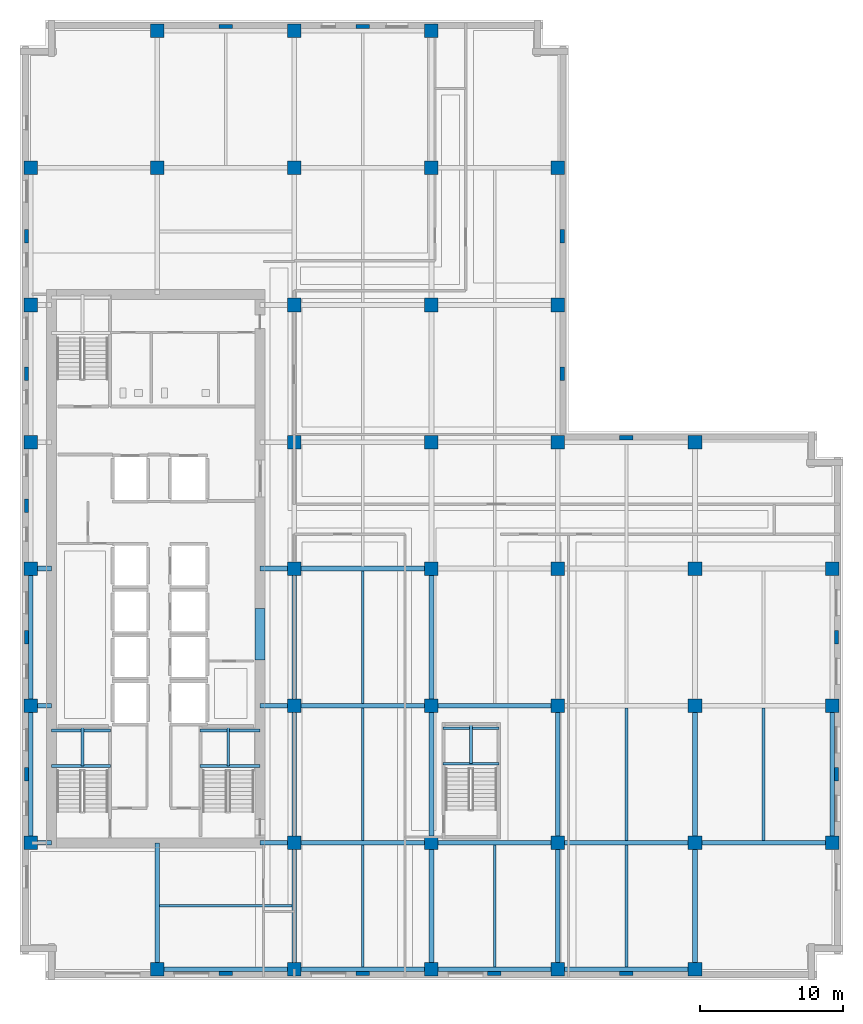
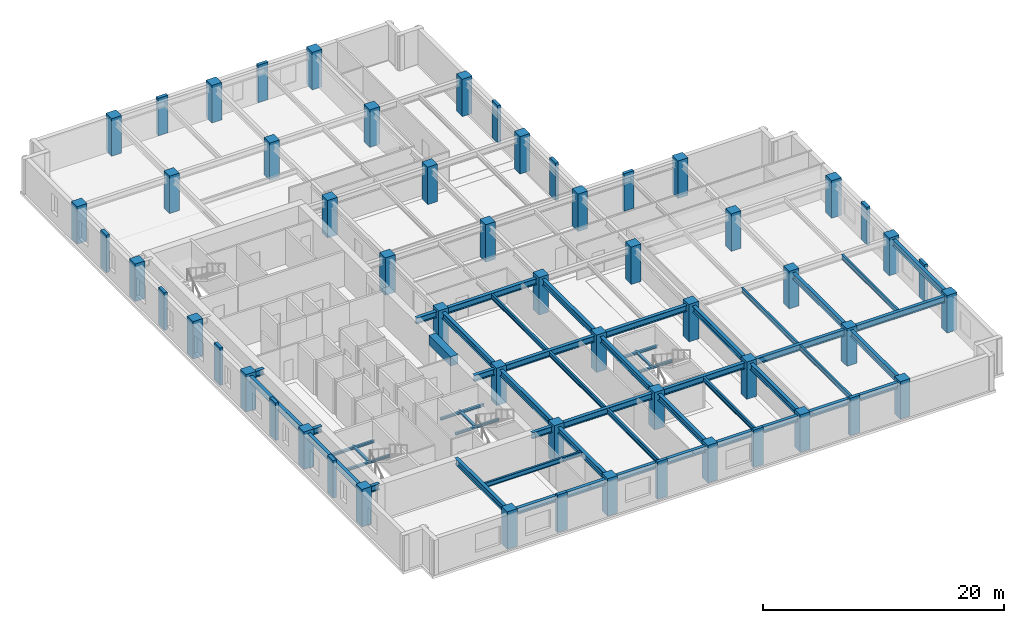
# One storey, part 1 of 14: 56 columns, 49 beams.
"""IFC4 building model written with IfcOpenShell, lengths in metres."""

import ifcopenshell
import ifcopenshell.guid

model = None  # the IFC model being written
_history = None  # IfcOwnerHistory: only IFC2X3 demands one
_inside = {}  # id of a spatial element -> (the spatial element, [elements in it])
_under = {}  # id of a project, library or spatial element -> (it, [spatial elements below it])
_declared = {}  # id of a project -> (the project, [libraries it declares])
_typed = {}  # id of a type object -> (the type object, [elements of that type])
_made_of = {}  # id of a material, layer set ... -> (it, [elements and type objects made of it])


def new_model(schema):
    """Start an empty IFC model of exactly this schema.

    Asked for "IFC4X3", IfcOpenShell would pick the latest addendum, in which some entities
    have other attributes; the version numbers below select the first issue.
    IFC2X3 requires an IfcOwnerHistory on every rooted entity: one is made here for all.
    """
    global model, _history
    if schema == "IFC4X3":
        model = ifcopenshell.file(schema_version=(4, 3, 0, 0))
    else:
        model = ifcopenshell.file(schema=schema)
    _inside.clear()
    _under.clear()
    _declared.clear()
    _typed.clear()
    _made_of.clear()
    _history = None
    if model.schema == "IFC2X3":
        org = make("IfcOrganization", Name="unknown")
        user = make(
            "IfcPersonAndOrganization",
            ThePerson=make("IfcPerson", FamilyName="unknown"),
            TheOrganization=org,
        )
        app = make(
            "IfcApplication",
            ApplicationDeveloper=org,
            Version="unknown",
            ApplicationFullName="unknown",
            ApplicationIdentifier="unknown",
        )
        _history = make(
            "IfcOwnerHistory",
            OwningUser=user,
            OwningApplication=app,
            ChangeAction="ADDED",
            CreationDate=0,
        )
    return model


def make(cls, **values):
    """One entity of the class cls with the attributes given. An attribute that is None is left unset."""
    return model.create_entity(
        cls, **{name: value for name, value in values.items() if value is not None}
    )


def rooted(cls, **values):
    """An entity with a GlobalId (a new one), such as an element, a storey or a relation."""
    return make(cls, GlobalId=ifcopenshell.guid.new(), OwnerHistory=_history, **values)


def si_unit(unit_type, name, prefix=None):
    """IfcSIUnit, for example si_unit("LENGTHUNIT", "METRE", prefix="MILLI")."""
    return make("IfcSIUnit", UnitType=unit_type, Prefix=prefix, Name=name)


def assignment(units):
    """IfcUnitAssignment: the units of a project."""
    return None if units is None else make("IfcUnitAssignment", Units=units)


def point(xyz):
    """IfcCartesianPoint."""
    return None if xyz is None else make("IfcCartesianPoint", Coordinates=xyz)


def direction(xyz):
    """IfcDirection."""
    return None if xyz is None else make("IfcDirection", DirectionRatios=xyz)


def frame(location, z_axis=None, x_axis=None):
    """IfcAxis2Placement3D, a coordinate frame: its origin and axes. An axis left out is left unset."""
    return make(
        "IfcAxis2Placement3D",
        Location=point(location),
        Axis=direction(z_axis),
        RefDirection=direction(x_axis),
    )


def frame_2d(location, x_axis=None):
    """IfcAxis2Placement2D, a coordinate frame in the plane: its origin and x axis."""
    return make(
        "IfcAxis2Placement2D", Location=point(location), RefDirection=direction(x_axis)
    )


def origin():
    """The frame at (0, 0, 0) with its axes left unset."""
    return frame((0.0, 0.0, 0.0))


def origin_2d():
    """The frame at (0, 0) in the plane with its x axis left unset."""
    return frame_2d((0.0, 0.0))


def place(relative_to, where):
    """IfcLocalPlacement: puts the frame where relative to a parent placement (None: the world)."""
    return make(
        "IfcLocalPlacement", PlacementRelTo=relative_to, RelativePlacement=where
    )


def context(
    kind, dimensions, precision=None, world=None, true_north=None, identifier=None
):
    """IfcGeometricRepresentationContext, for example the 3D "Model" context."""
    return make(
        "IfcGeometricRepresentationContext",
        ContextIdentifier=identifier,
        ContextType=kind,
        CoordinateSpaceDimension=dimensions,
        Precision=precision,
        WorldCoordinateSystem=world,
        TrueNorth=true_north,
    )


def subcontext(parent, identifier, kind, view, scale=None):
    """IfcGeometricRepresentationSubContext, for example "Body" below "Model"."""
    return make(
        "IfcGeometricRepresentationSubContext",
        ContextIdentifier=identifier,
        ContextType=kind,
        ParentContext=parent,
        TargetScale=scale,
        TargetView=view,
    )


def project(units=None, contexts=None):
    """IfcProject with its units and contexts."""
    return rooted(
        "IfcProject",
        Name="project",
        RepresentationContexts=contexts,
        UnitsInContext=assignment(units),
    )


def spatial(cls, under=None, at=None, **own):
    """A site, building, storey or space (cls), placed at a placement, below another one or the project."""
    s = rooted(cls, ObjectPlacement=at, **own)
    if under is not None:
        _under.setdefault(under.id(), (under, []))[1].append(s)
    return s


def profile(cls, at=None, kind="AREA", **sizes):
    """A parametric profile (cls). Its sizes go by their IFC names, for example OverallWidth=200.0."""
    return make(cls, ProfileType=kind, Position=at, **sizes)


def rectangle(**sizes):
    """IfcRectangleProfileDef."""
    return profile("IfcRectangleProfileDef", **sizes)


def i_section(**sizes):
    """IfcIShapeProfileDef."""
    return profile("IfcIShapeProfileDef", **sizes)


def extrude(swept, where, along, depth):
    """IfcExtrudedAreaSolid: the profile swept, set in the frame where, extruded along a direction by depth."""
    return make(
        "IfcExtrudedAreaSolid",
        SweptArea=swept,
        Position=where,
        ExtrudedDirection=direction(along),
        Depth=depth,
    )


def shape(context_of_items, identifier, shape_type, items):
    """IfcShapeRepresentation: the items that make up one representation, for example the "Body"."""
    return make(
        "IfcShapeRepresentation",
        ContextOfItems=context_of_items,
        RepresentationIdentifier=identifier,
        RepresentationType=shape_type,
        Items=items,
    )


def material(Name=None, Category=None):
    """IfcMaterial."""
    return make("IfcMaterial", Name=Name, Category=Category)


def material_profile(
    of_material, cross_section, Name=None, Category=None, Priority=None
):
    """IfcMaterialProfile: a cross section and its material."""
    return make(
        "IfcMaterialProfile",
        Name=Name,
        Material=of_material,
        Profile=cross_section,
        Priority=Priority,
        Category=Category,
    )


def profile_set(profiles, Name=None, composite=None):
    """IfcMaterialProfileSet."""
    return make(
        "IfcMaterialProfileSet",
        Name=Name,
        MaterialProfiles=profiles,
        CompositeProfile=composite,
    )


def made_of(thing, what):
    """Note that an element or type object is made of a material, layer set ...; save() writes the relation."""
    if what is not None:
        _made_of.setdefault(what.id(), (what, []))[1].append(thing)
    return thing


def type_object(cls, material=None, **own):
    """A type object (cls), such as IfcWallType, which elements share."""
    return made_of(rooted(cls, **own), material)


def element(
    cls,
    number,
    at=None,
    inside=None,
    cuts=None,
    type_object=None,
    material=None,
    context=None,
    identifier="Body",
    shape_type=None,
    held_by="IfcProductDefinitionShape",
    body=None,
    shapes=None,
    **own,
):
    """One element of the class cls, such as IfcWall. Its Tag is "e" and its number.

    at: its placement. inside: the storey or other place that contains it. cuts: it is an
    opening in that element (IfcRelVoidsElement). A single representation is given by context,
    identifier, shape_type and body (its items); several are given by shapes. held_by: the class
    of the entity that holds the representations. save() writes the other relations.
    """
    e = rooted(cls, Tag="e%d" % number, ObjectPlacement=at, **own)
    if body is not None:
        shapes = [shape(context, identifier, shape_type, body)]
    if shapes is not None:
        e.Representation = make(held_by, Representations=shapes)
    if inside is not None:
        _inside.setdefault(inside.id(), (inside, []))[1].append(e)
    if cuts is not None:
        rooted(
            "IfcRelVoidsElement", RelatingBuildingElement=cuts, RelatedOpeningElement=e
        )
    if type_object is not None:
        _typed.setdefault(type_object.id(), (type_object, []))[1].append(e)
    return made_of(e, material)


def aggregate(whole, parts):
    """IfcRelAggregates: a whole, such as a stair, and the parts it consists of."""
    return rooted("IfcRelAggregates", RelatingObject=whole, RelatedObjects=parts)


def save(model, path):
    """Write the relations noted so far, then the file.

    IfcRelAggregates (storeys below a building ...), IfcRelContainedInSpatialStructure (elements
    in a storey), IfcRelDefinesByType, IfcRelAssociatesMaterial and IfcRelDeclares: one each for
    every whole, place, type object, material and project.
    """
    for whole, parts in _under.values():
        aggregate(whole, parts)
    for where, things in _inside.values():
        rooted(
            "IfcRelContainedInSpatialStructure",
            RelatedElements=things,
            RelatingStructure=where,
        )
    for kind, things in _typed.values():
        rooted("IfcRelDefinesByType", RelatedObjects=things, RelatingType=kind)
    for what, things in _made_of.values():
        rooted("IfcRelAssociatesMaterial", RelatedObjects=things, RelatingMaterial=what)
    for by, libraries in _declared.values():
        rooted("IfcRelDeclares", RelatingContext=by, RelatedDefinitions=libraries)
    model.write(path)


model = new_model("IFC4")

# Units and contexts
model_context = context("Model", 3, precision=1e-05, world=origin(), true_north=direction((0.0, 1.0)))
body_context = subcontext(model_context, "Body", "Model", "MODEL_VIEW")
ifc_project = project(units=[si_unit("LENGTHUNIT", "METRE"), si_unit("AREAUNIT", "SQUARE_METRE"), si_unit("VOLUMEUNIT", "CUBIC_METRE"), si_unit("PLANEANGLEUNIT", "RADIAN"), si_unit("MASSUNIT", "GRAM", prefix="KILO")], contexts=[model_context])

# Site, building, storey
site_placement = place(None, origin())
site = spatial("IfcSite", under=ifc_project, at=site_placement, CompositionType="ELEMENT")
building_placement = place(site_placement, origin())
building = spatial("IfcBuilding", under=site, at=building_placement, Name="Norrvale University Quadrangle", CompositionType="ELEMENT")
storey_placement = place(building_placement, frame((0.0, 0.0, 156.0)))
storey = spatial("IfcBuildingStorey", under=building, at=storey_placement, Name="L39", CompositionType="ELEMENT", Elevation=156.0)

# Columns
ifc_material_1 = material(Name="Red Manganese Brick Concrete C60/75", Category="concrete")
ifc_material_profile_1 = material_profile(ifc_material_1, rectangle(XDim=0.949951171875, YDim=0.300048828125, at=origin_2d()), Name="Red Manganese Brick Concrete C60/75")
ifc_profile_set_1 = profile_set([ifc_material_profile_1], Name="Red Manganese Brick Concrete C60/75")
column_type_1 = type_object("IfcColumnType", Name="Column Brick Pier 950x300", PredefinedType="PILASTER", material=ifc_profile_set_1)
for number, where, z_axis, x_axis, name in (
    (1, (0.449951171875, 14.39990234375, 0.0), (0.0, 0.0, 1.0), (0.0, 1.0, 0.0), "Exterior Brick Facade Pilaster L39-01"),
    (2, (0.449951171875, 24.0, 0.0), (0.0, 0.0, 1.0), (0.0, 1.0, 0.0), "Exterior Brick Facade Pilaster L39-02"),
    (3, (0.449951171875, 33.199951171875, 0.0), (0.0, 0.0, 1.0), (0.0, 1.0, 0.0), "Exterior Brick Facade Pilaster L39-03"),
    (4, (0.449951171875, 42.449951171875, 0.0), (0.0, 0.0, 1.0), (0.0, 1.0, 0.0), "Exterior Brick Facade Pilaster L39-04"),
    (5, (0.449951171875, 52.050048828125, 0.0), (0.0, 0.0, 1.0), (0.0, 1.0, 0.0), "Exterior Brick Facade Pilaster L39-05"),
    (6, (14.39990234375, 0.449951171875, 0.0), (0.0, 0.0, 1.0), (1.0, 0.0, 0.0), "Exterior Brick Facade Pilaster L39-06"),
    (7, (24.0, 0.449951171875, 0.0), (0.0, 0.0, 1.0), (1.0, 0.0, 0.0), "Exterior Brick Facade Pilaster L39-07"),
    (8, (33.199951171875, 0.449951171875, 0.0), (0.0, 0.0, 1.0), (1.0, 0.0, 0.0), "Exterior Brick Facade Pilaster L39-08"),
    (9, (42.449951171875, 0.449951171875, 0.0), (0.0, 0.0, 1.0), (1.0, 0.0, 0.0), "Exterior Brick Facade Pilaster L39-09"),
    (10, (57.14990234375, 14.39990234375, 0.0), (0.0, 0.0, 1.0), (0.0, 1.0, 0.0), "Exterior Brick Facade Pilaster L39-10"),
    (11, (57.14990234375, 24.0, 0.0), (0.0, 0.0, 1.0), (0.0, 1.0, 0.0), "Exterior Brick Facade Pilaster L39-11"),
    (12, (14.39990234375, 66.75, 0.0), (0.0, 0.0, 1.0), (1.0, 0.0, 0.0), "Exterior Brick Facade Pilaster L39-12"),
    (13, (24.0, 66.75, 0.0), (0.0, 0.0, 1.0), (1.0, 0.0, 0.0), "Exterior Brick Facade Pilaster L39-13"),
    (14, (37.949951171875, 42.449951171875, 0.0), (0.0, 0.0, 1.0), (0.0, 1.0, 0.0), "Exterior Brick Facade Pilaster L39-14"),
    (15, (37.949951171875, 52.050048828125, 0.0), (0.0, 0.0, 1.0), (0.0, 1.0, 0.0), "Exterior Brick Facade Pilaster L39-15"),
    (16, (42.449951171875, 37.949951171875, 0.0), (0.0, 0.0, 1.0), (1.0, 0.0, 0.0), "Exterior Brick Facade Pilaster L39-16"),
):
    element("IfcColumn", number, at=place(storey_placement, frame(where, z_axis=z_axis, x_axis=x_axis)), inside=storey, type_object=column_type_1, Name=name, PredefinedType="PILASTER", context=body_context, shape_type="SweptSolid", body=[
        extrude(rectangle(XDim=0.949951171875, YDim=0.300048828125, at=origin_2d()), origin(), (0.0, 0.0, 1.0), 3.800048828125),
    ])
ifc_material_2 = material(Name="Concrete C60/75", Category="concrete")
ifc_material_profile_2 = material_profile(ifc_material_2, rectangle(XDim=0.949951171875, YDim=0.949951171875, at=origin_2d()), Name="Concrete C60/75")
ifc_profile_set_2 = profile_set([ifc_material_profile_2], Name="Concrete C60/75")
column_type_2 = type_object("IfcColumnType", Name="Column Tower Z2 950x950", PredefinedType="COLUMN", material=ifc_profile_set_2)
for number, where, z_axis, x_axis, name in (
    (17, (0.75, 9.60009765625, 0.0), (0.0, 0.0, 1.0), (1.0, 0.0, 0.0), "Tower Column L39-T01"),
    (18, (0.75, 19.199951171875, 0.0), (0.0, 0.0, 1.0), (1.0, 0.0, 0.0), "Tower Column L39-T02"),
    (19, (0.75, 28.800048828125, 0.0), (0.0, 0.0, 1.0), (1.0, 0.0, 0.0), "Tower Column L39-T03"),
    (20, (0.75, 37.64990234375, 0.0), (0.0, 0.0, 1.0), (1.0, 0.0, 0.0), "Tower Column L39-T04"),
    (21, (0.75, 47.25, 0.0), (0.0, 0.0, 1.0), (1.0, 0.0, 0.0), "Tower Column L39-T05"),
    (22, (0.75, 56.85009765625, 0.0), (0.0, 0.0, 1.0), (1.0, 0.0, 0.0), "Tower Column L39-T06"),
    (23, (9.60009765625, 0.75, 0.0), (0.0, 0.0, 1.0), (1.0, 0.0, 0.0), "Tower Column L39-T07"),
    (24, (9.60009765625, 56.85009765625, 0.0), (0.0, 0.0, 1.0), (1.0, 0.0, 0.0), "Tower Column L39-T08"),
    (25, (9.60009765625, 66.449951171875, 0.0), (0.0, 0.0, 1.0), (1.0, 0.0, 0.0), "Tower Column L39-T09"),
    (26, (19.199951171875, 0.75, 0.0), (0.0, 0.0, 1.0), (1.0, 0.0, 0.0), "Tower Column L39-T10"),
    (27, (19.199951171875, 9.60009765625, 0.0), (0.0, 0.0, 1.0), (1.0, 0.0, 0.0), "Tower Column L39-T11"),
    (28, (19.199951171875, 19.199951171875, 0.0), (0.0, 0.0, 1.0), (1.0, 0.0, 0.0), "Tower Column L39-T12"),
    (29, (19.199951171875, 28.800048828125, 0.0), (0.0, 0.0, 1.0), (1.0, 0.0, 0.0), "Tower Column L39-T13"),
    (30, (19.199951171875, 37.64990234375, 0.0), (0.0, 0.0, 1.0), (1.0, 0.0, 0.0), "Tower Column L39-T14"),
    (31, (19.199951171875, 47.25, 0.0), (0.0, 0.0, 1.0), (1.0, 0.0, 0.0), "Tower Column L39-T15"),
    (32, (19.199951171875, 56.85009765625, 0.0), (0.0, 0.0, 1.0), (1.0, 0.0, 0.0), "Tower Column L39-T16"),
    (33, (19.199951171875, 66.449951171875, 0.0), (0.0, 0.0, 1.0), (1.0, 0.0, 0.0), "Tower Column L39-T17"),
    (34, (28.800048828125, 0.75, 0.0), (0.0, 0.0, 1.0), (1.0, 0.0, 0.0), "Tower Column L39-T18"),
    (35, (28.800048828125, 9.60009765625, 0.0), (0.0, 0.0, 1.0), (1.0, 0.0, 0.0), "Tower Column L39-T19"),
    (36, (28.800048828125, 19.199951171875, 0.0), (0.0, 0.0, 1.0), (1.0, 0.0, 0.0), "Tower Column L39-T20"),
    (37, (28.800048828125, 28.800048828125, 0.0), (0.0, 0.0, 1.0), (1.0, 0.0, 0.0), "Tower Column L39-T21"),
    (38, (28.800048828125, 37.64990234375, 0.0), (0.0, 0.0, 1.0), (1.0, 0.0, 0.0), "Tower Column L39-T22"),
    (39, (28.800048828125, 47.25, 0.0), (0.0, 0.0, 1.0), (1.0, 0.0, 0.0), "Tower Column L39-T23"),
    (40, (28.800048828125, 56.85009765625, 0.0), (0.0, 0.0, 1.0), (1.0, 0.0, 0.0), "Tower Column L39-T24"),
    (41, (28.800048828125, 66.449951171875, 0.0), (0.0, 0.0, 1.0), (1.0, 0.0, 0.0), "Tower Column L39-T25"),
    (42, (37.64990234375, 0.75, 0.0), (0.0, 0.0, 1.0), (1.0, 0.0, 0.0), "Tower Column L39-T26"),
    (43, (37.64990234375, 9.60009765625, 0.0), (0.0, 0.0, 1.0), (1.0, 0.0, 0.0), "Tower Column L39-T27"),
    (44, (37.64990234375, 19.199951171875, 0.0), (0.0, 0.0, 1.0), (1.0, 0.0, 0.0), "Tower Column L39-T28"),
    (45, (37.64990234375, 28.800048828125, 0.0), (0.0, 0.0, 1.0), (1.0, 0.0, 0.0), "Tower Column L39-T29"),
    (46, (37.64990234375, 37.64990234375, 0.0), (0.0, 0.0, 1.0), (1.0, 0.0, 0.0), "Tower Column L39-T30"),
    (47, (37.64990234375, 47.25, 0.0), (0.0, 0.0, 1.0), (1.0, 0.0, 0.0), "Tower Column L39-T31"),
    (48, (37.64990234375, 56.85009765625, 0.0), (0.0, 0.0, 1.0), (1.0, 0.0, 0.0), "Tower Column L39-T32"),
    (49, (47.25, 0.75, 0.0), (0.0, 0.0, 1.0), (1.0, 0.0, 0.0), "Tower Column L39-T33"),
    (50, (47.25, 9.60009765625, 0.0), (0.0, 0.0, 1.0), (1.0, 0.0, 0.0), "Tower Column L39-T34"),
    (51, (47.25, 19.199951171875, 0.0), (0.0, 0.0, 1.0), (1.0, 0.0, 0.0), "Tower Column L39-T35"),
    (52, (47.25, 28.800048828125, 0.0), (0.0, 0.0, 1.0), (1.0, 0.0, 0.0), "Tower Column L39-T36"),
    (53, (47.25, 37.64990234375, 0.0), (0.0, 0.0, 1.0), (1.0, 0.0, 0.0), "Tower Column L39-T37"),
    (54, (56.85009765625, 9.60009765625, 0.0), (0.0, 0.0, 1.0), (1.0, 0.0, 0.0), "Tower Column L39-T38"),
    (55, (56.85009765625, 19.199951171875, 0.0), (0.0, 0.0, 1.0), (1.0, 0.0, 0.0), "Tower Column L39-T39"),
    (56, (56.85009765625, 28.800048828125, 0.0), (0.0, 0.0, 1.0), (1.0, 0.0, 0.0), "Tower Column L39-T40"),
):
    element("IfcColumn", number, at=place(storey_placement, frame(where, z_axis=z_axis, x_axis=x_axis)), inside=storey, type_object=column_type_2, Name=name, PredefinedType="COLUMN", context=body_context, shape_type="SweptSolid", body=[
        extrude(rectangle(XDim=0.949951171875, YDim=0.949951171875, at=origin_2d()), origin(), (0.0, 0.0, 1.0), 3.800048828125),
    ])

# Beams
ifc_material_3 = material(Name="Steel 350W", Category="steel")
ifc_material_profile_3 = material_profile(ifc_material_3, i_section(OverallWidth=0.324951171875, OverallDepth=0.615966796875, WebThickness=0.013916015625, FlangeThickness=0.021484375, FilletRadius=0.01611328125, at=origin_2d()), Name="Steel 350W")
ifc_profile_set_3 = profile_set([ifc_material_profile_3], Name="Steel 350W")
beam_type_1 = type_object("IfcBeamType", Name="Beam Belt W610x174", PredefinedType="BEAM", material=ifc_profile_set_3)
beam_1_placement = place(storey_placement, frame((9.60009765625, 0.75, 3.23193359375), z_axis=(1.0, 0.0, 0.0), x_axis=(0.0, 1.0, 0.0)))
element("IfcBeam", 57, at=beam_1_placement, inside=storey, type_object=beam_type_1, Name="Beam Belt W610x174 BM-L39-GX001", PredefinedType="BEAM", context=body_context, shape_type="SweptSolid", body=[
    extrude(i_section(OverallWidth=0.324951171875, OverallDepth=0.615966796875, WebThickness=0.013916015625, FlangeThickness=0.021484375, FilletRadius=0.01611328125, at=origin_2d()), origin(), (0.0, 0.0, 1.0), 9.599853515625),
])
beam_2_placement = place(storey_placement, frame((19.199951171875, 0.75, 3.23193359375), z_axis=(1.0, 0.0, 0.0), x_axis=(0.0, 1.0, 0.0)))
element("IfcBeam", 58, at=beam_2_placement, inside=storey, type_object=beam_type_1, Name="Beam Belt W610x174 BM-L39-GX002", PredefinedType="BEAM", context=body_context, shape_type="SweptSolid", body=[
    extrude(i_section(OverallWidth=0.324951171875, OverallDepth=0.615966796875, WebThickness=0.013916015625, FlangeThickness=0.021484375, FilletRadius=0.01611328125, at=origin_2d()), origin(), (0.0, 0.0, 1.0), 9.60009765625),
])
beam_3_placement = place(storey_placement, frame((28.800048828125, 0.75, 3.23193359375), z_axis=(1.0, 0.0, 0.0), x_axis=(0.0, 1.0, 0.0)))
element("IfcBeam", 59, at=beam_3_placement, inside=storey, type_object=beam_type_1, Name="Beam Belt W610x174 BM-L39-GX003", PredefinedType="BEAM", context=body_context, shape_type="SweptSolid", body=[
    extrude(i_section(OverallWidth=0.324951171875, OverallDepth=0.615966796875, WebThickness=0.013916015625, FlangeThickness=0.021484375, FilletRadius=0.01611328125, at=origin_2d()), origin(), (0.0, 0.0, 1.0), 8.849853515625),
])
for number, where, z_axis, x_axis, name in (
    (60, (37.64990234375, 0.75, 3.23193359375), (1.0, 0.0, 0.0), (0.0, 1.0, 0.0), "Beam Belt W610x174 BM-L39-GX004"),
    (61, (19.199951171875, 9.60009765625, 3.23193359375), (1.0, 0.0, 0.0), (0.0, 1.0, 0.0), "Beam Belt W610x174 BM-L39-GX005"),
):
    element("IfcBeam", number, at=place(storey_placement, frame(where, z_axis=z_axis, x_axis=x_axis)), inside=storey, type_object=beam_type_1, Name=name, PredefinedType="BEAM", context=body_context, shape_type="SweptSolid", body=[
        extrude(i_section(OverallWidth=0.324951171875, OverallDepth=0.615966796875, WebThickness=0.013916015625, FlangeThickness=0.021484375, FilletRadius=0.01611328125, at=origin_2d()), origin(), (0.0, 0.0, 1.0), 9.60009765625),
    ])
beam_4_placement = place(storey_placement, frame((28.800048828125, 9.60009765625, 3.23193359375), z_axis=(1.0, 0.0, 0.0), x_axis=(0.0, 1.0, 0.0)))
element("IfcBeam", 62, at=beam_4_placement, inside=storey, type_object=beam_type_1, Name="Beam Belt W610x174 BM-L39-GX006", PredefinedType="BEAM", context=body_context, shape_type="SweptSolid", body=[
    extrude(i_section(OverallWidth=0.324951171875, OverallDepth=0.615966796875, WebThickness=0.013916015625, FlangeThickness=0.021484375, FilletRadius=0.01611328125, at=origin_2d()), origin(), (0.0, 0.0, 1.0), 8.849853515625),
])
for number, where, z_axis, x_axis, name in (
    (63, (37.64990234375, 9.60009765625, 3.23193359375), (1.0, 0.0, 0.0), (0.0, 1.0, 0.0), "Beam Belt W610x174 BM-L39-GX007"),
    (64, (47.25, 9.60009765625, 3.23193359375), (1.0, 0.0, 0.0), (0.0, 1.0, 0.0), "Beam Belt W610x174 BM-L39-GX008"),
    (65, (19.199951171875, 19.199951171875, 3.23193359375), (1.0, 0.0, 0.0), (0.0, 1.0, 0.0), "Beam Belt W610x174 BM-L39-GX009"),
):
    element("IfcBeam", number, at=place(storey_placement, frame(where, z_axis=z_axis, x_axis=x_axis)), inside=storey, type_object=beam_type_1, Name=name, PredefinedType="BEAM", context=body_context, shape_type="SweptSolid", body=[
        extrude(i_section(OverallWidth=0.324951171875, OverallDepth=0.615966796875, WebThickness=0.013916015625, FlangeThickness=0.021484375, FilletRadius=0.01611328125, at=origin_2d()), origin(), (0.0, 0.0, 1.0), 9.60009765625),
    ])
beam_5_placement = place(storey_placement, frame((28.800048828125, 19.199951171875, 3.23193359375), z_axis=(1.0, 0.0, 0.0), x_axis=(0.0, 1.0, 0.0)))
element("IfcBeam", 66, at=beam_5_placement, inside=storey, type_object=beam_type_1, Name="Beam Belt W610x174 BM-L39-GX010", PredefinedType="BEAM", context=body_context, shape_type="SweptSolid", body=[
    extrude(i_section(OverallWidth=0.324951171875, OverallDepth=0.615966796875, WebThickness=0.013916015625, FlangeThickness=0.021484375, FilletRadius=0.01611328125, at=origin_2d()), origin(), (0.0, 0.0, 1.0), 8.849853515625),
])
beam_6_placement = place(storey_placement, frame((19.199951171875, 28.800048828125, 3.23193359375), z_axis=(1.0, 0.0, 0.0), x_axis=(0.0, 1.0, 0.0)))
element("IfcBeam", 67, at=beam_6_placement, inside=storey, type_object=beam_type_1, Name="Beam Belt W610x174 BM-L39-GX013", PredefinedType="BEAM", context=body_context, shape_type="SweptSolid", body=[
    extrude(i_section(OverallWidth=0.324951171875, OverallDepth=0.615966796875, WebThickness=0.013916015625, FlangeThickness=0.021484375, FilletRadius=0.01611328125, at=origin_2d()), origin(), (0.0, 0.0, 1.0), 9.60009765625),
])
beam_7_placement = place(storey_placement, frame((0.75, 9.60009765625, 3.23193359375), z_axis=(0.0, 1.0, 0.0), x_axis=(-1.0, 0.0, 0.0)))
element("IfcBeam", 68, at=beam_7_placement, inside=storey, type_object=beam_type_1, Name="Beam Belt W610x174 BM-L39-GY028", PredefinedType="BEAM", context=body_context, shape_type="SweptSolid", body=[
    extrude(i_section(OverallWidth=0.324951171875, OverallDepth=0.615966796875, WebThickness=0.013916015625, FlangeThickness=0.021484375, FilletRadius=0.01611328125, at=origin_2d()), origin(), (0.0, 0.0, 1.0), 9.599853515625),
])
beam_8_placement = place(storey_placement, frame((0.75, 19.199951171875, 3.23193359375), z_axis=(0.0, 1.0, 0.0), x_axis=(-1.0, 0.0, 0.0)))
element("IfcBeam", 69, at=beam_8_placement, inside=storey, type_object=beam_type_1, Name="Beam Belt W610x174 BM-L39-GY029", PredefinedType="BEAM", context=body_context, shape_type="SweptSolid", body=[
    extrude(i_section(OverallWidth=0.324951171875, OverallDepth=0.615966796875, WebThickness=0.013916015625, FlangeThickness=0.021484375, FilletRadius=0.01611328125, at=origin_2d()), origin(), (0.0, 0.0, 1.0), 9.60009765625),
])
beam_9_placement = place(storey_placement, frame((19.199951171875, 0.75, 3.23193359375), z_axis=(0.0, 1.0, 0.0), x_axis=(-1.0, 0.0, 0.0)))
element("IfcBeam", 70, at=beam_9_placement, inside=storey, type_object=beam_type_1, Name="Beam Belt W610x174 BM-L39-GY034", PredefinedType="BEAM", context=body_context, shape_type="SweptSolid", body=[
    extrude(i_section(OverallWidth=0.324951171875, OverallDepth=0.615966796875, WebThickness=0.013916015625, FlangeThickness=0.021484375, FilletRadius=0.01611328125, at=origin_2d()), origin(), (0.0, 0.0, 1.0), 8.85009765625),
])
beam_10_placement = place(storey_placement, frame((19.199951171875, 9.60009765625, 3.23193359375), z_axis=(0.0, 1.0, 0.0), x_axis=(-1.0, 0.0, 0.0)))
element("IfcBeam", 71, at=beam_10_placement, inside=storey, type_object=beam_type_1, Name="Beam Belt W610x174 BM-L39-GY035", PredefinedType="BEAM", context=body_context, shape_type="SweptSolid", body=[
    extrude(i_section(OverallWidth=0.324951171875, OverallDepth=0.615966796875, WebThickness=0.013916015625, FlangeThickness=0.021484375, FilletRadius=0.01611328125, at=origin_2d()), origin(), (0.0, 0.0, 1.0), 9.599853515625),
])
beam_11_placement = place(storey_placement, frame((19.199951171875, 19.199951171875, 3.23193359375), z_axis=(0.0, 1.0, 0.0), x_axis=(-1.0, 0.0, 0.0)))
element("IfcBeam", 72, at=beam_11_placement, inside=storey, type_object=beam_type_1, Name="Beam Belt W610x174 BM-L39-GY036", PredefinedType="BEAM", context=body_context, shape_type="SweptSolid", body=[
    extrude(i_section(OverallWidth=0.324951171875, OverallDepth=0.615966796875, WebThickness=0.013916015625, FlangeThickness=0.021484375, FilletRadius=0.01611328125, at=origin_2d()), origin(), (0.0, 0.0, 1.0), 9.60009765625),
])
beam_12_placement = place(storey_placement, frame((28.800048828125, 0.75, 3.23193359375), z_axis=(0.0, 1.0, 0.0), x_axis=(-1.0, 0.0, 0.0)))
element("IfcBeam", 73, at=beam_12_placement, inside=storey, type_object=beam_type_1, Name="Beam Belt W610x174 BM-L39-GY041", PredefinedType="BEAM", context=body_context, shape_type="SweptSolid", body=[
    extrude(i_section(OverallWidth=0.324951171875, OverallDepth=0.615966796875, WebThickness=0.013916015625, FlangeThickness=0.021484375, FilletRadius=0.01611328125, at=origin_2d()), origin(), (0.0, 0.0, 1.0), 8.85009765625),
])
beam_13_placement = place(storey_placement, frame((28.800048828125, 9.60009765625, 3.23193359375), z_axis=(0.0, 1.0, 0.0), x_axis=(-1.0, 0.0, 0.0)))
element("IfcBeam", 74, at=beam_13_placement, inside=storey, type_object=beam_type_1, Name="Beam Belt W610x174 BM-L39-GY042", PredefinedType="BEAM", context=body_context, shape_type="SweptSolid", body=[
    extrude(i_section(OverallWidth=0.324951171875, OverallDepth=0.615966796875, WebThickness=0.013916015625, FlangeThickness=0.021484375, FilletRadius=0.01611328125, at=origin_2d()), origin(), (0.0, 0.0, 1.0), 9.599853515625),
])
beam_14_placement = place(storey_placement, frame((28.800048828125, 19.199951171875, 3.23193359375), z_axis=(0.0, 1.0, 0.0), x_axis=(-1.0, 0.0, 0.0)))
element("IfcBeam", 75, at=beam_14_placement, inside=storey, type_object=beam_type_1, Name="Beam Belt W610x174 BM-L39-GY043", PredefinedType="BEAM", context=body_context, shape_type="SweptSolid", body=[
    extrude(i_section(OverallWidth=0.324951171875, OverallDepth=0.615966796875, WebThickness=0.013916015625, FlangeThickness=0.021484375, FilletRadius=0.01611328125, at=origin_2d()), origin(), (0.0, 0.0, 1.0), 9.60009765625),
])
beam_15_placement = place(storey_placement, frame((37.64990234375, 0.75, 3.23193359375), z_axis=(0.0, 1.0, 0.0), x_axis=(-1.0, 0.0, 0.0)))
element("IfcBeam", 76, at=beam_15_placement, inside=storey, type_object=beam_type_1, Name="Beam Belt W610x174 BM-L39-GY048", PredefinedType="BEAM", context=body_context, shape_type="SweptSolid", body=[
    extrude(i_section(OverallWidth=0.324951171875, OverallDepth=0.615966796875, WebThickness=0.013916015625, FlangeThickness=0.021484375, FilletRadius=0.01611328125, at=origin_2d()), origin(), (0.0, 0.0, 1.0), 8.85009765625),
])
beam_16_placement = place(storey_placement, frame((37.64990234375, 9.60009765625, 3.23193359375), z_axis=(0.0, 1.0, 0.0), x_axis=(-1.0, 0.0, 0.0)))
element("IfcBeam", 77, at=beam_16_placement, inside=storey, type_object=beam_type_1, Name="Beam Belt W610x174 BM-L39-GY049", PredefinedType="BEAM", context=body_context, shape_type="SweptSolid", body=[
    extrude(i_section(OverallWidth=0.324951171875, OverallDepth=0.615966796875, WebThickness=0.013916015625, FlangeThickness=0.021484375, FilletRadius=0.01611328125, at=origin_2d()), origin(), (0.0, 0.0, 1.0), 9.599853515625),
])
beam_17_placement = place(storey_placement, frame((47.25, 0.75, 3.23193359375), z_axis=(0.0, 1.0, 0.0), x_axis=(-1.0, 0.0, 0.0)))
element("IfcBeam", 78, at=beam_17_placement, inside=storey, type_object=beam_type_1, Name="Beam Belt W610x174 BM-L39-GY054", PredefinedType="BEAM", context=body_context, shape_type="SweptSolid", body=[
    extrude(i_section(OverallWidth=0.324951171875, OverallDepth=0.615966796875, WebThickness=0.013916015625, FlangeThickness=0.021484375, FilletRadius=0.01611328125, at=origin_2d()), origin(), (0.0, 0.0, 1.0), 8.85009765625),
])
for number, where, z_axis, x_axis, name in (
    (79, (47.25, 9.60009765625, 3.23193359375), (0.0, 1.0, 0.0), (-1.0, 0.0, 0.0), "Beam Belt W610x174 BM-L39-GY055"),
    (80, (56.85009765625, 9.60009765625, 3.23193359375), (0.0, 1.0, 0.0), (-1.0, 0.0, 0.0), "Beam Belt W610x174 BM-L39-GY058"),
):
    element("IfcBeam", number, at=place(storey_placement, frame(where, z_axis=z_axis, x_axis=x_axis)), inside=storey, type_object=beam_type_1, Name=name, PredefinedType="BEAM", context=body_context, shape_type="SweptSolid", body=[
        extrude(i_section(OverallWidth=0.324951171875, OverallDepth=0.615966796875, WebThickness=0.013916015625, FlangeThickness=0.021484375, FilletRadius=0.01611328125, at=origin_2d()), origin(), (0.0, 0.0, 1.0), 9.599853515625),
    ])
beam_18_placement = place(storey_placement, frame((0.75, 9.60009765625, 3.23193359375), z_axis=(1.0, 0.0, 0.0), x_axis=(0.0, 1.0, 0.0)))
element("IfcBeam", 81, at=beam_18_placement, inside=storey, type_object=beam_type_1, Name="Beam Belt W610x174 BM-L39-GCW060", PredefinedType="BEAM", context=body_context, shape_type="SweptSolid", body=[
    extrude(i_section(OverallWidth=0.324951171875, OverallDepth=0.615966796875, WebThickness=0.013916015625, FlangeThickness=0.021484375, FilletRadius=0.01611328125, at=origin_2d()), origin(), (0.0, 0.0, 1.0), 1.449951171875),
])
beam_19_placement = place(storey_placement, frame((16.800048828125, 9.60009765625, 3.23193359375), z_axis=(1.0, 0.0, 0.0), x_axis=(0.0, 1.0, 0.0)))
element("IfcBeam", 82, at=beam_19_placement, inside=storey, type_object=beam_type_1, Name="Beam Belt W610x174 BM-L39-GCE061", PredefinedType="BEAM", context=body_context, shape_type="SweptSolid", body=[
    extrude(i_section(OverallWidth=0.324951171875, OverallDepth=0.615966796875, WebThickness=0.013916015625, FlangeThickness=0.021484375, FilletRadius=0.01611328125, at=origin_2d()), origin(), (0.0, 0.0, 1.0), 2.39990234375),
])
beam_20_placement = place(storey_placement, frame((0.75, 19.199951171875, 3.23193359375), z_axis=(1.0, 0.0, 0.0), x_axis=(0.0, 1.0, 0.0)))
element("IfcBeam", 83, at=beam_20_placement, inside=storey, type_object=beam_type_1, Name="Beam Belt W610x174 BM-L39-GCW062", PredefinedType="BEAM", context=body_context, shape_type="SweptSolid", body=[
    extrude(i_section(OverallWidth=0.324951171875, OverallDepth=0.615966796875, WebThickness=0.013916015625, FlangeThickness=0.021484375, FilletRadius=0.01611328125, at=origin_2d()), origin(), (0.0, 0.0, 1.0), 1.449951171875),
])
beam_21_placement = place(storey_placement, frame((16.800048828125, 19.199951171875, 3.23193359375), z_axis=(1.0, 0.0, 0.0), x_axis=(0.0, 1.0, 0.0)))
element("IfcBeam", 84, at=beam_21_placement, inside=storey, type_object=beam_type_1, Name="Beam Belt W610x174 BM-L39-GCE063", PredefinedType="BEAM", context=body_context, shape_type="SweptSolid", body=[
    extrude(i_section(OverallWidth=0.324951171875, OverallDepth=0.615966796875, WebThickness=0.013916015625, FlangeThickness=0.021484375, FilletRadius=0.01611328125, at=origin_2d()), origin(), (0.0, 0.0, 1.0), 2.39990234375),
])
beam_22_placement = place(storey_placement, frame((0.75, 28.800048828125, 3.23193359375), z_axis=(1.0, 0.0, 0.0), x_axis=(0.0, 1.0, 0.0)))
element("IfcBeam", 85, at=beam_22_placement, inside=storey, type_object=beam_type_1, Name="Beam Belt W610x174 BM-L39-GCW064", PredefinedType="BEAM", context=body_context, shape_type="SweptSolid", body=[
    extrude(i_section(OverallWidth=0.324951171875, OverallDepth=0.615966796875, WebThickness=0.013916015625, FlangeThickness=0.021484375, FilletRadius=0.01611328125, at=origin_2d()), origin(), (0.0, 0.0, 1.0), 1.449951171875),
])
beam_23_placement = place(storey_placement, frame((16.800048828125, 28.800048828125, 3.23193359375), z_axis=(1.0, 0.0, 0.0), x_axis=(0.0, 1.0, 0.0)))
element("IfcBeam", 86, at=beam_23_placement, inside=storey, type_object=beam_type_1, Name="Beam Belt W610x174 BM-L39-GCE065", PredefinedType="BEAM", context=body_context, shape_type="SweptSolid", body=[
    extrude(i_section(OverallWidth=0.324951171875, OverallDepth=0.615966796875, WebThickness=0.013916015625, FlangeThickness=0.021484375, FilletRadius=0.01611328125, at=origin_2d()), origin(), (0.0, 0.0, 1.0), 2.39990234375),
])
beam_24_placement = place(storey_placement, frame((9.60009765625, 0.75, 3.23193359375), z_axis=(0.0, 1.0, 0.0), x_axis=(-1.0, 0.0, 0.0)))
element("IfcBeam", 87, at=beam_24_placement, inside=storey, type_object=beam_type_1, Name="Beam Belt W610x174 BM-L39-GCS089", PredefinedType="BEAM", context=body_context, shape_type="SweptSolid", body=[
    extrude(i_section(OverallWidth=0.324951171875, OverallDepth=0.615966796875, WebThickness=0.013916015625, FlangeThickness=0.021484375, FilletRadius=0.01611328125, at=origin_2d()), origin(), (0.0, 0.0, 1.0), 8.85009765625),
])
ifc_material_4 = material(Name="Concrete C80/95", Category="concrete")
ifc_material_profile_4 = material_profile(ifc_material_4, rectangle(XDim=0.699951171875, YDim=0.949951171875, at=origin_2d()), Name="Concrete C80/95")
ifc_profile_set_4 = profile_set([ifc_material_profile_4], Name="Concrete C80/95")
beam_type_2 = type_object("IfcBeamType", Name="Beam Core Link 700x950", PredefinedType="LINTEL", material=ifc_profile_set_4)
beam_25_placement = place(storey_placement, frame((16.800048828125, 22.39990234375, 3.06494140625), z_axis=(0.0, 1.0, 0.0), x_axis=(-1.0, 0.0, 0.0)))
element("IfcBeam", 88, at=beam_25_placement, inside=storey, type_object=beam_type_2, Name="Core Coupling Lintel Beam L39-1", PredefinedType="LINTEL", context=body_context, shape_type="SweptSolid", body=[
    extrude(rectangle(XDim=0.699951171875, YDim=0.949951171875, at=origin_2d()), origin(), (0.0, 0.0, 1.0), 3.60009765625),
])
ifc_material_profile_5 = material_profile(ifc_material_3, i_section(OverallWidth=0.194091796875, OverallDepth=0.468994140625, WebThickness=0.0126953125, FlangeThickness=0.0205078125, FilletRadius=0.012939453125, at=origin_2d()), Name="Steel 350W")
ifc_profile_set_5 = profile_set([ifc_material_profile_5], Name="Steel 350W")
beam_type_3 = type_object("IfcBeamType", Name="Beam Floor W460x106", PredefinedType="BEAM", material=ifc_profile_set_5)
beam_26_placement = place(storey_placement, frame((24.0, 0.91259765625, 3.305419921875), z_axis=(0.0, 1.0, 0.0), x_axis=(-1.0, 0.0, 0.0)))
element("IfcBeam", 89, at=beam_26_placement, inside=storey, type_object=beam_type_3, Name="Beam Floor W460x106 BM-L39-J071", PredefinedType="BEAM", context=body_context, shape_type="SweptSolid", body=[
    extrude(i_section(OverallWidth=0.194091796875, OverallDepth=0.468994140625, WebThickness=0.0126953125, FlangeThickness=0.0205078125, FilletRadius=0.012939453125, at=origin_2d()), origin(), (0.0, 0.0, 1.0), 8.52490234375),
])
beam_27_placement = place(storey_placement, frame((24.0, 9.762451171875, 3.305419921875), z_axis=(0.0, 1.0, 0.0), x_axis=(-1.0, 0.0, 0.0)))
element("IfcBeam", 90, at=beam_27_placement, inside=storey, type_object=beam_type_3, Name="Beam Floor W460x106 BM-L39-J072", PredefinedType="BEAM", context=body_context, shape_type="SweptSolid", body=[
    extrude(i_section(OverallWidth=0.194091796875, OverallDepth=0.468994140625, WebThickness=0.0126953125, FlangeThickness=0.0205078125, FilletRadius=0.012939453125, at=origin_2d()), origin(), (0.0, 0.0, 1.0), 9.275146484375),
])
beam_28_placement = place(storey_placement, frame((24.0, 19.362548828125, 3.305419921875), z_axis=(0.0, 1.0, 0.0), x_axis=(-1.0, 0.0, 0.0)))
element("IfcBeam", 91, at=beam_28_placement, inside=storey, type_object=beam_type_3, Name="Beam Floor W460x106 BM-L39-J073", PredefinedType="BEAM", context=body_context, shape_type="SweptSolid", body=[
    extrude(i_section(OverallWidth=0.194091796875, OverallDepth=0.468994140625, WebThickness=0.0126953125, FlangeThickness=0.0205078125, FilletRadius=0.012939453125, at=origin_2d()), origin(), (0.0, 0.0, 1.0), 9.27490234375),
])
for number, where, z_axis, x_axis, name in (
    (92, (33.22509765625, 0.91259765625, 3.305419921875), (0.0, 1.0, 0.0), (-1.0, 0.0, 0.0), "Beam Floor W460x106 BM-L39-J078"),
    (93, (42.449951171875, 0.91259765625, 3.305419921875), (0.0, 1.0, 0.0), (-1.0, 0.0, 0.0), "Beam Floor W460x106 BM-L39-J083"),
):
    element("IfcBeam", number, at=place(storey_placement, frame(where, z_axis=z_axis, x_axis=x_axis)), inside=storey, type_object=beam_type_3, Name=name, PredefinedType="BEAM", context=body_context, shape_type="SweptSolid", body=[
        extrude(i_section(OverallWidth=0.194091796875, OverallDepth=0.468994140625, WebThickness=0.0126953125, FlangeThickness=0.0205078125, FilletRadius=0.012939453125, at=origin_2d()), origin(), (0.0, 0.0, 1.0), 8.52490234375),
    ])
for number, where, z_axis, x_axis, name in (
    (94, (42.449951171875, 9.762451171875, 3.305419921875), (0.0, 1.0, 0.0), (-1.0, 0.0, 0.0), "Beam Floor W460x106 BM-L39-J084"),
    (95, (52.050048828125, 9.762451171875, 3.305419921875), (0.0, 1.0, 0.0), (-1.0, 0.0, 0.0), "Beam Floor W460x106 BM-L39-J087"),
    (96, (9.762451171875, 5.199951171875, 3.305419921875), (1.0, 0.0, 0.0), (0.0, 1.0, 0.0), "Beam Floor W460x106 BM-L39-JCS090"),
):
    element("IfcBeam", number, at=place(storey_placement, frame(where, z_axis=z_axis, x_axis=x_axis)), inside=storey, type_object=beam_type_3, Name=name, PredefinedType="BEAM", context=body_context, shape_type="SweptSolid", body=[
        extrude(i_section(OverallWidth=0.194091796875, OverallDepth=0.468994140625, WebThickness=0.0126953125, FlangeThickness=0.0205078125, FilletRadius=0.012939453125, at=origin_2d()), origin(), (0.0, 0.0, 1.0), 9.275146484375),
    ])
ifc_material_profile_6 = material_profile(ifc_material_3, i_section(OverallWidth=0.201904296875, OverallDepth=0.2470703125, WebThickness=0.00732421875, FlangeThickness=0.010986328125, FilletRadius=0.011962890625, at=origin_2d()), Name="Steel 350W")
ifc_profile_set_6 = profile_set([ifc_material_profile_6], Name="Steel 350W")
beam_type_4 = type_object("IfcBeamType", Name="Beam Stair W250x49", PredefinedType="BEAM", material=ifc_profile_set_6)
for number, where, z_axis, x_axis, name in (
    (97, (2.199951171875, 14.989990234375, 1.576416015625), (1.0, 0.0, 0.0), (0.0, 1.0, 0.0), "Stair Mid-Landing Front Beam ST-01 L39"),
    (98, (2.199951171875, 17.469970703125, 1.576416015625), (1.0, 0.0, 0.0), (0.0, 1.0, 0.0), "Stair Mid-Landing Rear Beam ST-01 L39"),
):
    element("IfcBeam", number, at=place(storey_placement, frame(where, z_axis=z_axis, x_axis=x_axis)), inside=storey, type_object=beam_type_4, Name=name, PredefinedType="BEAM", context=body_context, shape_type="SweptSolid", body=[
        extrude(i_section(OverallWidth=0.201904296875, OverallDepth=0.2470703125, WebThickness=0.00732421875, FlangeThickness=0.010986328125, FilletRadius=0.011962890625, at=origin_2d()), origin(), (0.0, 0.0, 1.0), 4.14013671875),
    ])
for number, where, z_axis, x_axis, name in (
    (99, (12.610107421875, 14.989990234375, 1.576416015625), (1.0, 0.0, 0.0), (0.0, 1.0, 0.0), "Stair Mid-Landing Front Beam ST-03 L39"),
    (100, (12.610107421875, 17.469970703125, 1.576416015625), (1.0, 0.0, 0.0), (0.0, 1.0, 0.0), "Stair Mid-Landing Rear Beam ST-03 L39"),
):
    element("IfcBeam", number, at=place(storey_placement, frame(where, z_axis=z_axis, x_axis=x_axis)), inside=storey, type_object=beam_type_4, Name=name, PredefinedType="BEAM", context=body_context, shape_type="SweptSolid", body=[
        extrude(i_section(OverallWidth=0.201904296875, OverallDepth=0.2470703125, WebThickness=0.00732421875, FlangeThickness=0.010986328125, FilletRadius=0.011962890625, at=origin_2d()), origin(), (0.0, 0.0, 1.0), 4.18994140625),
    ])
for number, where, z_axis, x_axis, name in (
    (101, (29.610107421875, 15.139892578125, 1.576416015625), (1.0, 0.0, 0.0), (0.0, 1.0, 0.0), "Stair Mid-Landing Front Beam ST-04 L39"),
    (102, (29.610107421875, 17.6201171875, 1.576416015625), (1.0, 0.0, 0.0), (0.0, 1.0, 0.0), "Stair Mid-Landing Rear Beam ST-04 L39"),
):
    element("IfcBeam", number, at=place(storey_placement, frame(where, z_axis=z_axis, x_axis=x_axis)), inside=storey, type_object=beam_type_4, Name=name, PredefinedType="BEAM", context=body_context, shape_type="SweptSolid", body=[
        extrude(i_section(OverallWidth=0.201904296875, OverallDepth=0.2470703125, WebThickness=0.00732421875, FlangeThickness=0.010986328125, FilletRadius=0.011962890625, at=origin_2d()), origin(), (0.0, 0.0, 1.0), 3.929931640625),
    ])
ifc_material_profile_7 = material_profile(ifc_material_3, i_section(OverallWidth=0.202880859375, OverallDepth=0.202880859375, WebThickness=0.007080078125, FlangeThickness=0.010986328125, FilletRadius=0.010009765625, at=origin_2d()), Name="Steel 350W")
ifc_profile_set_7 = profile_set([ifc_material_profile_7], Name="Steel 350W")
beam_type_5 = type_object("IfcBeamType", Name="Beam Trim W200x46", PredefinedType="BEAM", material=ifc_profile_set_7)
for number, where, z_axis, x_axis, name in (
    (103, (4.375, 14.989990234375, 1.598388671875), (0.0, 1.0, 0.0), (-1.0, 0.0, 0.0), "Stair Mid-Landing Cross Beam ST-01 L39"),
    (104, (14.574951171875, 14.989990234375, 1.598388671875), (0.0, 1.0, 0.0), (-1.0, 0.0, 0.0), "Stair Mid-Landing Cross Beam ST-03 L39"),
    (105, (31.574951171875, 15.139892578125, 1.598388671875), (0.0, 1.0, 0.0), (-1.0, 0.0, 0.0), "Stair Mid-Landing Cross Beam ST-04 L39"),
):
    element("IfcBeam", number, at=place(storey_placement, frame(where, z_axis=z_axis, x_axis=x_axis)), inside=storey, type_object=beam_type_5, Name=name, PredefinedType="BEAM", context=body_context, shape_type="SweptSolid", body=[
        extrude(i_section(OverallWidth=0.202880859375, OverallDepth=0.202880859375, WebThickness=0.007080078125, FlangeThickness=0.010986328125, FilletRadius=0.010009765625, at=origin_2d()), origin(), (0.0, 0.0, 1.0), 2.800048828125),
    ])

save(model, "model.ifc")
